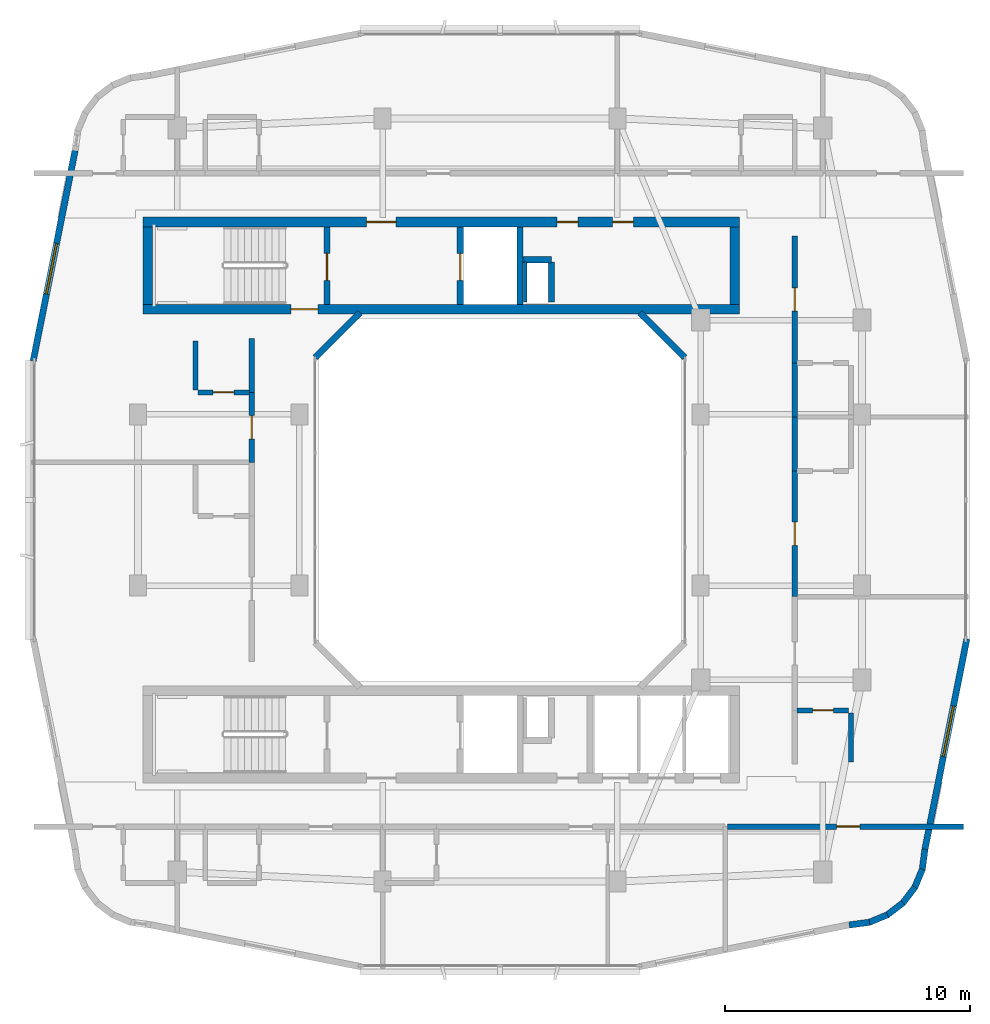
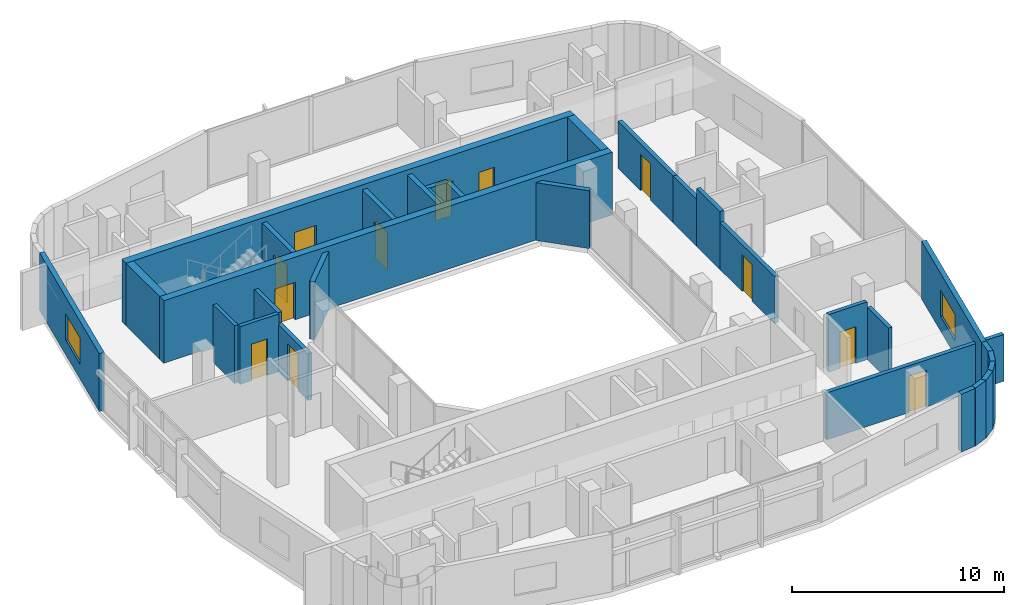
# One storey, part 8 of 14: 31 walls, 12 doors, 2 windows, 14 openings.
"""IFC4 building model written with IfcOpenShell, lengths in metres."""

from ifc_helpers import new_model, si_unit, derived_unit, direction, frame, frame_2d, origin, place, context, subcontext, project, spatial, rectangle, extrude, material, layer, layer_set, type_object, element, fill, save


model = new_model("IFC4")

# Units and contexts
model_context = context("Model", 3, precision=1e-05, world=origin(), true_north=direction((0.0, 1.0)))
body_context = subcontext(model_context, "Body", "Model", "MODEL_VIEW")
ifc_project = project(units=[si_unit("LENGTHUNIT", "METRE"), si_unit("AREAUNIT", "SQUARE_METRE"), si_unit("VOLUMEUNIT", "CUBIC_METRE"), si_unit("PLANEANGLEUNIT", "RADIAN"), si_unit("MASSUNIT", "GRAM", prefix="KILO"), derived_unit("THERMALTRANSMITTANCEUNIT", [(si_unit("POWERUNIT", "WATT"), 1), (si_unit("LENGTHUNIT", "METRE"), -2), (si_unit("THERMODYNAMICTEMPERATUREUNIT", "KELVIN"), -1)])], contexts=[model_context])

# Site, building, storey
site_placement = place(None, origin())
site = spatial("IfcSite", under=ifc_project, at=site_placement, CompositionType="ELEMENT")
building_placement = place(site_placement, origin())
building = spatial("IfcBuilding", under=site, at=building_placement, Name="Kivonza Crest Hotel", CompositionType="ELEMENT")
storey_placement = place(building_placement, frame((0.0, 0.0, 202.699951171875)))
storey = spatial("IfcBuildingStorey", under=building, at=storey_placement, Name="L55", CompositionType="ELEMENT", Elevation=202.699951171875)

# Wall, opening, door
ifc_material_1 = material(Name="Autoclaved aerated concrete blockwork", Category="masonry")
ifc_layer_1 = layer(ifc_material_1, 0.219970703125)
ifc_layer_set_1 = layer_set([ifc_layer_1], Name="Autoclaved aerated concrete blockwork")
wall_type_1 = type_object("IfcWallType", Name="WL-ACOU-220", PredefinedType="SOLIDWALL", material=ifc_layer_set_1)
wall_1_placement = place(storey_placement, frame((30.300048828125, 11.64990234375, 0.0), z_axis=(0.0, 0.0, 1.0), x_axis=(1.0, 0.0, 0.0)))
wall_1 = element("IfcWall", 1, at=wall_1_placement, inside=storey, type_object=wall_type_1, Name="L55 interior partition WA-L55-BUS-MTG-N", PredefinedType="SOLIDWALL", context=body_context, shape_type="SweptSolid", body=[
    extrude(rectangle(XDim=9.639892578125, YDim=0.219970703125, at=frame_2d((4.81982421875, 0.0))), origin(), (0.0, 0.0, 1.0), 2.695068359375),
])
opening_1_placement = place(wall_1_placement, frame((4.4609375, 0.0, 0.0)))
opening_1 = element("IfcOpeningElement", 2, at=opening_1_placement, cuts=wall_1, Name="Opening DF-60S", PredefinedType="OPENING", context=body_context, shape_type="SweptSolid", body=[
    extrude(rectangle(XDim=0.949951171875, YDim=2.10009765625, at=frame_2d((0.47509765625, 1.050048828125))), frame((0.0, 0.1201171875, 0.0), z_axis=(0.0, -1.0, 0.0), x_axis=(1.0, 0.0, 0.0)), (0.0, 0.0, 1.0), 0.239990234375),
])
ifc_material_2 = material(Name="Hardwood timber oak", Category="wood")
door_type_1 = type_object("IfcDoorType", Name="DR-FD60-950", OperationType="NOTDEFINED", PredefinedType="DOOR", material=ifc_material_2)
door_1_placement = place(opening_1_placement, frame((0.949951171875, 0.0, 0.0), z_axis=(0.0, 0.0, 1.0), x_axis=(-1.0, 0.0, 0.0)))
door_1 = element("IfcDoor", 3, at=door_1_placement, inside=storey, type_object=door_type_1, Name="L55 Residents Reading Room door", OperationType="SINGLE_SWING_RIGHT", OverallHeight=2.10009765625, OverallWidth=0.949951171875, PredefinedType="DOOR", context=body_context, shape_type="SweptSolid", body=[
    extrude(rectangle(XDim=0.949951171875, YDim=2.10009765625, at=frame_2d((0.47509765625, 1.050048828125))), frame((0.0, 0.02490234375, 0.0), z_axis=(0.0, -1.0, 0.0), x_axis=(1.0, 0.0, 0.0)), (0.0, 0.0, 1.0), 0.050048828125),
])
fill(opening_1, door_1)

# Wall
wall_2_placement = place(storey_placement, frame((10.85009765625, 29.39990234375, 0.0), z_axis=(0.0, 0.0, 1.0), x_axis=(0.0, 1.0, 0.0)))
element("IfcWall", 4, at=wall_2_placement, inside=storey, type_object=wall_type_1, Name="L55 interior partition WA-L55-W08-BCORR", PredefinedType="SOLIDWALL", context=body_context, shape_type="SweptSolid", body=[
    extrude(rectangle(XDim=2.2001953125, YDim=0.219970703125, at=frame_2d((1.10009765625, 0.0))), origin(), (0.0, 0.0, 1.0), 3.320068359375),
])

# Wall, opening, door
wall_3_placement = place(storey_placement, frame((10.85009765625, 26.5400390625, 0.0), z_axis=(0.0, 0.0, 1.0), x_axis=(0.0, 1.0, 0.0)))
wall_3 = element("IfcWall", 5, at=wall_3_placement, inside=storey, type_object=wall_type_1, Name="L55 interior partition WA-L55-W08-MCORR", PredefinedType="SOLIDWALL", context=body_context, shape_type="SweptSolid", body=[
    extrude(rectangle(XDim=2.85986328125, YDim=0.219970703125, at=frame_2d((1.429931640625, 0.0))), origin(), (0.0, 0.0, 1.0), 2.695068359375),
])
opening_2_placement = place(wall_3_placement, frame((0.955078125, 0.0, 0.0)))
opening_2 = element("IfcOpeningElement", 6, at=opening_2_placement, cuts=wall_3, Name="Opening DU-60", PredefinedType="OPENING", context=body_context, shape_type="SweptSolid", body=[
    extrude(rectangle(XDim=0.949951171875, YDim=2.10009765625, at=frame_2d((0.47509765625, 1.050048828125))), frame((0.0, 0.1201171875, 0.0), z_axis=(0.0, -1.0, 0.0), x_axis=(1.0, 0.0, 0.0)), (0.0, 0.0, 1.0), 0.239990234375),
])
door_type_2 = type_object("IfcDoorType", Name="DR-UNIT-950", OperationType="NOTDEFINED", PredefinedType="DOOR", material=ifc_material_2)
door_2_placement = place(opening_2_placement, origin())
door_2 = element("IfcDoor", 7, at=door_2_placement, inside=storey, type_object=door_type_2, Name="L55 W08 guest unit entrance fire door", OperationType="SINGLE_SWING_RIGHT", OverallHeight=2.10009765625, OverallWidth=0.949951171875, PredefinedType="DOOR", context=body_context, shape_type="SweptSolid", body=[
    extrude(rectangle(XDim=0.949951171875, YDim=2.10009765625, at=frame_2d((0.47509765625, 1.050048828125))), frame((0.0, 0.02490234375, 0.0), z_axis=(0.0, -1.0, 0.0), x_axis=(1.0, 0.0, 0.0)), (0.0, 0.0, 1.0), 0.050048828125),
])
fill(opening_2, door_2)

# Wall
wall_4_placement = place(storey_placement, frame((33.050048828125, 26.193115234375, 0.0), z_axis=(0.0, 0.0, 1.0), x_axis=(0.0, 1.0, 0.0)))
element("IfcWall", 8, at=wall_4_placement, inside=storey, type_object=wall_type_1, Name="L55 interior partition WA-L55-E10-BCORR", PredefinedType="SOLIDWALL", context=body_context, shape_type="SweptSolid", body=[
    extrude(rectangle(XDim=2.199951171875, YDim=0.219970703125, at=frame_2d((1.10009765625, 0.0))), origin(), (0.0, 0.0, 1.0), 3.320068359375),
])

# Wall, opening, door
wall_5_placement = place(storey_placement, frame((33.050048828125, 21.049072265625, 0.0), z_axis=(0.0, 0.0, 1.0), x_axis=(0.0, 1.0, 0.0)))
wall_5 = element("IfcWall", 9, at=wall_5_placement, inside=storey, type_object=wall_type_1, Name="L55 interior partition WA-L55-E10-MCORR", PredefinedType="SOLIDWALL", context=body_context, shape_type="SweptSolid", body=[
    extrude(rectangle(XDim=5.14404296875, YDim=0.219970703125, at=frame_2d((2.572021484375, 0.0))), origin(), (0.0, 0.0, 1.0), 2.695068359375),
])
opening_3_placement = place(wall_5_placement, frame((2.096923828125, 0.0, 0.0)))
opening_3 = element("IfcOpeningElement", 10, at=opening_3_placement, cuts=wall_5, Name="Opening DU-60", PredefinedType="OPENING", context=body_context, shape_type="SweptSolid", body=[
    extrude(rectangle(XDim=0.949951171875, YDim=2.10009765625, at=frame_2d((0.47509765625, 1.050048828125))), frame((0.0, 0.1201171875, 0.0), z_axis=(0.0, -1.0, 0.0), x_axis=(1.0, 0.0, 0.0)), (0.0, 0.0, 1.0), 0.239990234375),
])
door_3_placement = place(opening_3_placement, frame((0.949951171875, 0.0, 0.0), z_axis=(0.0, 0.0, 1.0), x_axis=(-1.0, 0.0, 0.0)))
door_3 = element("IfcDoor", 11, at=door_3_placement, inside=storey, type_object=door_type_2, Name="L55 E10 guest unit entrance fire door", OperationType="SINGLE_SWING_RIGHT", OverallHeight=2.10009765625, OverallWidth=0.949951171875, PredefinedType="DOOR", context=body_context, shape_type="SweptSolid", body=[
    extrude(rectangle(XDim=0.949951171875, YDim=2.10009765625, at=frame_2d((0.47509765625, 1.050048828125))), frame((0.0, 0.02490234375, 0.0), z_axis=(0.0, -1.0, 0.0), x_axis=(1.0, 0.0, 0.0)), (0.0, 0.0, 1.0), 0.050048828125),
])
fill(opening_3, door_3)

# Wall
wall_6_placement = place(storey_placement, frame((33.050048828125, 28.39306640625, 0.0), z_axis=(0.0, 0.0, 1.0), x_axis=(0.0, 1.0, 0.0)))
element("IfcWall", 12, at=wall_6_placement, inside=storey, type_object=wall_type_1, Name="L55 interior partition WA-L55-E11-BCORR", PredefinedType="SOLIDWALL", context=body_context, shape_type="SweptSolid", body=[
    extrude(rectangle(XDim=2.199951171875, YDim=0.219970703125, at=frame_2d((1.10009765625, 0.0))), origin(), (0.0, 0.0, 1.0), 2.695068359375),
])

# Wall, opening, door
wall_7_placement = place(storey_placement, frame((33.050048828125, 30.593017578125, 0.0), z_axis=(0.0, 0.0, 1.0), x_axis=(0.0, 1.0, 0.0)))
wall_7 = element("IfcWall", 13, at=wall_7_placement, inside=storey, type_object=wall_type_1, Name="L55 interior partition WA-L55-E11-MCORR", PredefinedType="SOLIDWALL", context=body_context, shape_type="SweptSolid", body=[
    extrude(rectangle(XDim=5.20703125, YDim=0.219970703125, at=frame_2d((2.603515625, 0.0))), origin(), (0.0, 0.0, 1.0), 2.695068359375),
])
opening_4_placement = place(wall_7_placement, frame((2.1279296875, 0.0, 0.0)))
opening_4 = element("IfcOpeningElement", 14, at=opening_4_placement, cuts=wall_7, Name="Opening DU-60", PredefinedType="OPENING", context=body_context, shape_type="SweptSolid", body=[
    extrude(rectangle(XDim=0.949951171875, YDim=2.10009765625, at=frame_2d((0.47509765625, 1.050048828125))), frame((0.0, 0.1201171875, 0.0), z_axis=(0.0, -1.0, 0.0), x_axis=(1.0, 0.0, 0.0)), (0.0, 0.0, 1.0), 0.239990234375),
])
door_4_placement = place(opening_4_placement, frame((0.949951171875, 0.0, 0.0), z_axis=(0.0, 0.0, 1.0), x_axis=(-1.0, 0.0, 0.0)))
door_4 = element("IfcDoor", 15, at=door_4_placement, inside=storey, type_object=door_type_2, Name="L55 E11 guest unit entrance fire door", OperationType="SINGLE_SWING_LEFT", OverallHeight=2.10009765625, OverallWidth=0.949951171875, PredefinedType="DOOR", context=body_context, shape_type="SweptSolid", body=[
    extrude(rectangle(XDim=0.949951171875, YDim=2.10009765625, at=frame_2d((0.47509765625, 1.050048828125))), frame((0.0, 0.02490234375, 0.0), z_axis=(0.0, -1.0, 0.0), x_axis=(1.0, 0.0, 0.0)), (0.0, 0.0, 1.0), 0.050048828125),
])
fill(opening_4, door_4)

ifc_material_3 = material(Name="Concrete C50/60", Category="concrete")
ifc_layer_2 = layer(ifc_material_3, 0.39990234375)
ifc_layer_set_2 = layer_set([ifc_layer_2], Name="Concrete C50/60")
wall_type_2 = type_object("IfcWallType", Name="WL-CORE-400", PredefinedType="SHEAR", material=ifc_layer_set_2)
wall_8_placement = place(storey_placement, frame((6.39990234375, 32.800048828125, 0.0), z_axis=(0.0, 0.0, 1.0), x_axis=(1.0, 0.0, 0.0)))
wall_8 = element("IfcWall", 16, at=wall_8_placement, inside=storey, type_object=wall_type_2, Name="Core wall T1-N South L55", PredefinedType="SHEAR", context=body_context, shape_type="SweptSolid", body=[
    extrude(rectangle(XDim=24.400146484375, YDim=0.39990234375, at=frame_2d((12.2001953125, 0.0))), origin(), (0.0, 0.0, 1.0), 3.60009765625),
])
opening_5_placement = place(wall_8_placement, frame((6.050048828125, 0.0, 0.0)))
opening_5 = element("IfcOpeningElement", 17, at=opening_5_placement, cuts=wall_8, Name="Opening DF-120", PredefinedType="OPENING", context=body_context, shape_type="SweptSolid", body=[
    extrude(rectangle(XDim=1.10009765625, YDim=2.14990234375, at=frame_2d((0.550048828125, 1.074951171875))), frame((0.0, 0.2099609375, 0.0), z_axis=(0.0, -1.0, 0.0), x_axis=(1.0, 0.0, 0.0)), (0.0, 0.0, 1.0), 0.419921875),
])
ifc_material_4 = material(Name="Galvanised steel", Category="steel")
door_type_3 = type_object("IfcDoorType", Name="DR-FD120-1100", OperationType="NOTDEFINED", PredefinedType="DOOR", material=ifc_material_4)
door_5_placement = place(opening_5_placement, origin())
door_5 = element("IfcDoor", 18, at=door_5_placement, inside=storey, type_object=door_type_3, Name="L55 West corridor stair access fire door", OperationType="SINGLE_SWING_LEFT", OverallHeight=2.14990234375, OverallWidth=1.10009765625, PredefinedType="DOOR", context=body_context, shape_type="SweptSolid", body=[
    extrude(rectangle(XDim=1.10009765625, YDim=2.14990234375, at=frame_2d((0.550048828125, 1.074951171875))), frame((0.0, 0.02490234375, 0.0), z_axis=(0.0, -1.0, 0.0), x_axis=(1.0, 0.0, 0.0)), (0.0, 0.0, 1.0), 0.050048828125),
])
fill(opening_5, door_5)

# Wall, openings, doors
wall_9_placement = place(storey_placement, frame((6.39990234375, 36.360107421875, 0.0), z_axis=(0.0, 0.0, 1.0), x_axis=(1.0, 0.0, 0.0)))
wall_9 = element("IfcWall", 19, at=wall_9_placement, inside=storey, type_object=wall_type_2, Name="Core wall T1-N North L55", PredefinedType="SHEAR", context=body_context, shape_type="SweptSolid", body=[
    extrude(rectangle(XDim=24.400146484375, YDim=0.39990234375, at=frame_2d((12.2001953125, 0.0))), origin(), (0.0, 0.0, 1.0), 3.60009765625),
])
opening_6_placement = place(wall_9_placement, frame((9.14990234375, 0.0, 0.0)))
opening_6 = element("IfcOpeningElement", 20, at=opening_6_placement, cuts=wall_9, Name="Opening DF-60", PredefinedType="OPENING", context=body_context, shape_type="SweptSolid", body=[
    extrude(rectangle(XDim=1.199951171875, YDim=2.14990234375, at=frame_2d((0.60009765625, 1.074951171875))), frame((0.0, 0.2099609375, 0.0), z_axis=(0.0, -1.0, 0.0), x_axis=(1.0, 0.0, 0.0)), (0.0, 0.0, 1.0), 0.419921875),
])
opening_7_placement = place(wall_9_placement, frame((19.199951171875, 0.0, 0.0)))
opening_7 = element("IfcOpeningElement", 21, at=opening_7_placement, cuts=wall_9, Name="Opening DF-60R", PredefinedType="OPENING", context=body_context, shape_type="SweptSolid", body=[
    extrude(rectangle(XDim=0.85009765625, YDim=2.10009765625, at=frame_2d((0.425048828125, 1.050048828125))), frame((0.0, 0.2099609375, 0.0), z_axis=(0.0, -1.0, 0.0), x_axis=(1.0, 0.0, 0.0)), (0.0, 0.0, 1.0), 0.419921875),
])
opening_8_placement = place(wall_9_placement, frame((16.93994140625, 0.0, 0.0)))
opening_8 = element("IfcOpeningElement", 22, at=opening_8_placement, cuts=wall_9, Name="Opening DF-60R", PredefinedType="OPENING", context=body_context, shape_type="SweptSolid", body=[
    extrude(rectangle(XDim=0.85009765625, YDim=2.10009765625, at=frame_2d((0.425048828125, 1.050048828125))), frame((0.0, 0.2099609375, 0.0), z_axis=(0.0, -1.0, 0.0), x_axis=(1.0, 0.0, 0.0)), (0.0, 0.0, 1.0), 0.419921875),
])
door_type_4 = type_object("IfcDoorType", Name="DR-FD60-1200", OperationType="NOTDEFINED", PredefinedType="DOOR", material=ifc_material_2)
door_6_placement = place(opening_6_placement, origin())
door_6 = element("IfcDoor", 23, at=door_6_placement, inside=storey, type_object=door_type_4, Name="L55 T1-N firefighting lobby fire door", OperationType="SINGLE_SWING_RIGHT", OverallHeight=2.14990234375, OverallWidth=1.199951171875, PredefinedType="DOOR", context=body_context, shape_type="SweptSolid", body=[
    extrude(rectangle(XDim=1.199951171875, YDim=2.14990234375, at=frame_2d((0.60009765625, 1.074951171875))), frame((0.0, 0.02490234375, 0.0), z_axis=(0.0, -1.0, 0.0), x_axis=(1.0, 0.0, 0.0)), (0.0, 0.0, 1.0), 0.050048828125),
])
fill(opening_6, door_6)
door_type_5 = type_object("IfcDoorType", Name="DR-FD60-850", OperationType="NOTDEFINED", PredefinedType="DOOR", material=ifc_material_2)
door_7_placement = place(opening_7_placement, origin())
door_7 = element("IfcDoor", 24, at=door_7_placement, inside=storey, type_object=door_type_5, Name="L55 T1-N reclaimed core service door", OperationType="SINGLE_SWING_LEFT", OverallHeight=2.10009765625, OverallWidth=0.85009765625, PredefinedType="DOOR", context=body_context, shape_type="SweptSolid", body=[
    extrude(rectangle(XDim=0.85009765625, YDim=2.10009765625, at=frame_2d((0.425048828125, 1.050048828125))), frame((0.0, 0.02490234375, 0.0), z_axis=(0.0, -1.0, 0.0), x_axis=(1.0, 0.0, 0.0)), (0.0, 0.0, 1.0), 0.050048828125),
])
fill(opening_7, door_7)
door_8_placement = place(opening_8_placement, origin())
door_8 = element("IfcDoor", 25, at=door_8_placement, inside=storey, type_object=door_type_5, Name="L55 T1-N core room door", OperationType="SINGLE_SWING_RIGHT", OverallHeight=2.10009765625, OverallWidth=0.85009765625, PredefinedType="DOOR", context=body_context, shape_type="SweptSolid", body=[
    extrude(rectangle(XDim=0.85009765625, YDim=2.10009765625, at=frame_2d((0.425048828125, 1.050048828125))), frame((0.0, 0.02490234375, 0.0), z_axis=(0.0, -1.0, 0.0), x_axis=(1.0, 0.0, 0.0)), (0.0, 0.0, 1.0), 0.050048828125),
])
fill(opening_8, door_8)

# Walls
for number, where, z_axis, x_axis, name in (
    (26, (6.60009765625, 33.0, 0.0), (0.0, 0.0, 1.0), (0.0, 1.0, 0.0), "Core wall T1-N West L55"),
    (27, (30.60009765625, 33.0, 0.0), (0.0, 0.0, 1.0), (0.0, 1.0, 0.0), "Core wall T1-N East L55"),
):
    element("IfcWall", number, at=place(storey_placement, frame(where, z_axis=z_axis, x_axis=x_axis)), inside=storey, type_object=wall_type_2, Name=name, PredefinedType="SHEAR", context=body_context, shape_type="SweptSolid", body=[
        extrude(rectangle(XDim=3.159912109375, YDim=0.39990234375, at=frame_2d((1.580078125, 0.0))), origin(), (0.0, 0.0, 1.0), 3.60009765625),
    ])
ifc_material_5 = material(Name="Precast concrete C40/50", Category="concrete")
ifc_layer_3 = layer(ifc_material_5, 0.260009765625)
ifc_layer_set_3 = layer_set([ifc_layer_3], Name="Precast concrete C40/50")
wall_type_3 = type_object("IfcWallType", Name="WL-EXT-260", PredefinedType="STANDARD", material=ifc_layer_set_3)
wall_10_placement = place(storey_placement, frame((35.27490234375, 7.6279296875, 0.0), z_axis=(0.0, 0.0, 1.0), x_axis=(0.9913883573, 0.130954667764, 0.0)))
element("IfcWall", 28, at=wall_10_placement, inside=storey, type_object=wall_type_3, Name="L55 T1 exterior insulated wall 10", PredefinedType="STANDARD", context=body_context, shape_type="SweptSolid", body=[
    extrude(rectangle(XDim=0.833251953125, YDim=0.260009765625, at=frame_2d((0.41650390625, 0.0))), origin(), (0.0, 0.0, 1.0), 3.320068359375),
])
wall_11_placement = place(storey_placement, frame((36.054931640625, 7.718994140625, 0.0), z_axis=(0.0, 0.0, 1.0), x_axis=(0.923754491172, 0.382985169477, 0.0)))
element("IfcWall", 29, at=wall_11_placement, inside=storey, type_object=wall_type_3, Name="L55 T1 exterior insulated wall 11", PredefinedType="STANDARD", context=body_context, shape_type="SweptSolid", body=[
    extrude(rectangle(XDim=0.85107421875, YDim=0.260009765625, at=frame_2d((0.425537109375, 0.0))), origin(), (0.0, 0.0, 1.0), 3.320068359375),
])
for number, where, z_axis, x_axis, name in (
    (30, (36.801025390625, 8.01708984375, 0.0), (0.0, 0.0, 1.0), (0.793999057278, 0.607918988881, 0.0), "L55 T1 exterior insulated wall 12"),
    (31, (37.445068359375, 8.49609375, 0.0), (0.0, 0.0, 1.0), (0.608057619941, 0.793892896323, 0.0), "L55 T1 exterior insulated wall 13"),
):
    element("IfcWall", number, at=place(storey_placement, frame(where, z_axis=z_axis, x_axis=x_axis)), inside=storey, type_object=wall_type_3, Name=name, PredefinedType="STANDARD", context=body_context, shape_type="SweptSolid", body=[
        extrude(rectangle(XDim=0.85009765625, YDim=0.260009765625, at=frame_2d((0.425048828125, 0.0))), origin(), (0.0, 0.0, 1.0), 3.320068359375),
    ])
wall_12_placement = place(storey_placement, frame((37.94091796875, 9.126953125, 0.0), z_axis=(0.0, 0.0, 1.0), x_axis=(0.383229930484, 0.923652976167, 0.0)))
element("IfcWall", 32, at=wall_12_placement, inside=storey, type_object=wall_type_3, Name="L55 T1 exterior insulated wall 14", PredefinedType="STANDARD", context=body_context, shape_type="SweptSolid", body=[
    extrude(rectangle(XDim=0.85107421875, YDim=0.260009765625, at=frame_2d((0.425537109375, 0.0))), origin(), (0.0, 0.0, 1.0), 3.320068359375),
])
wall_13_placement = place(storey_placement, frame((38.259033203125, 9.864013671875, 0.0), z_axis=(0.0, 0.0, 1.0), x_axis=(0.130156359936, 0.991493480548, 0.0)))
element("IfcWall", 33, at=wall_13_placement, inside=storey, type_object=wall_type_3, Name="L55 T1 exterior insulated wall 15", PredefinedType="STANDARD", context=body_context, shape_type="SweptSolid", body=[
    extrude(rectangle(XDim=0.868408203125, YDim=0.260009765625, at=frame_2d((0.43408203125, 0.0))), origin(), (0.0, 0.0, 1.0), 3.320068359375),
])

# Wall, opening, window
wall_14_placement = place(storey_placement, frame((38.37109375, 10.717041015625, 0.0), z_axis=(0.0, 0.0, 1.0), x_axis=(0.195291715883, 0.980745199176, 0.0)))
wall_14 = element("IfcWall", 34, at=wall_14_placement, inside=storey, type_object=wall_type_3, Name="L55 T1 exterior insulated wall 16", PredefinedType="STANDARD", context=body_context, shape_type="SweptSolid", body=[
    extrude(rectangle(XDim=8.77099609375, YDim=0.260009765625, at=frame_2d((4.385498046875, 0.0))), origin(), (0.0, 0.0, 1.0), 3.320068359375),
])
opening_9_placement = place(wall_14_placement, frame((3.873046875, 0.0, 0.85009765625)))
opening_9 = element("IfcOpeningElement", 35, at=opening_9_placement, cuts=wall_14, Name="Opening WN-04", PredefinedType="OPENING", context=body_context, shape_type="SweptSolid", body=[
    extrude(rectangle(XDim=2.10009765625, YDim=1.5, at=frame_2d((1.050048828125, 0.75))), frame((0.0, 0.14013671875, 0.0), z_axis=(0.0, -1.0, 0.0), x_axis=(1.0, 0.0, 0.0)), (0.0, 0.0, 1.0), 0.280029296875),
])
ifc_material_6 = material(Name="Thermally broken bronze aluminium and low-E double glazing", Category="aluminium")
window_type = type_object("IfcWindowType", Name="WN-210x150", PartitioningType="DOUBLE_PANEL_VERTICAL", PredefinedType="WINDOW", material=ifc_material_6)
window_1_placement = place(opening_9_placement, origin())
window_1 = element("IfcWindow", 36, at=window_1_placement, inside=storey, type_object=window_type, Name="L55 T1 facade window 16", OverallHeight=1.5, OverallWidth=2.10009765625, PartitioningType="SINGLE_PANEL", PredefinedType="WINDOW", context=body_context, shape_type="SweptSolid", body=[
    extrude(rectangle(XDim=2.10009765625, YDim=1.5, at=frame_2d((1.050048828125, 0.75))), frame((0.0, 0.030029296875, 0.0), z_axis=(0.0, -1.0, 0.0), x_axis=(1.0, 0.0, 0.0)), (0.0, 0.0, 1.0), 0.06005859375),
])
fill(opening_9, window_1)

wall_15_placement = place(storey_placement, frame((3.62890625, 39.282958984375, 0.0), z_axis=(0.0, 0.0, 1.0), x_axis=(-0.195291715883, -0.980745199176, 0.0)))
wall_15 = element("IfcWall", 37, at=wall_15_placement, inside=storey, type_object=wall_type_3, Name="L55 T1 exterior insulated wall 34", PredefinedType="STANDARD", context=body_context, shape_type="SweptSolid", body=[
    extrude(rectangle(XDim=8.77099609375, YDim=0.260009765625, at=frame_2d((4.385498046875, 0.0))), origin(), (0.0, 0.0, 1.0), 3.320068359375),
])
opening_10_placement = place(wall_15_placement, frame((3.873046875, 0.0, 0.85009765625)))
opening_10 = element("IfcOpeningElement", 38, at=opening_10_placement, cuts=wall_15, Name="Opening WN-04", PredefinedType="OPENING", context=body_context, shape_type="SweptSolid", body=[
    extrude(rectangle(XDim=2.10009765625, YDim=1.5, at=frame_2d((1.050048828125, 0.75))), frame((0.0, 0.14013671875, 0.0), z_axis=(0.0, -1.0, 0.0), x_axis=(1.0, 0.0, 0.0)), (0.0, 0.0, 1.0), 0.280029296875),
])
window_2_placement = place(opening_10_placement, origin())
window_2 = element("IfcWindow", 39, at=window_2_placement, inside=storey, type_object=window_type, Name="L55 T1 facade window 34", OverallHeight=1.5, OverallWidth=2.10009765625, PartitioningType="SINGLE_PANEL", PredefinedType="WINDOW", context=body_context, shape_type="SweptSolid", body=[
    extrude(rectangle(XDim=2.10009765625, YDim=1.5, at=frame_2d((1.050048828125, 0.75))), frame((0.0, 0.030029296875, 0.0), z_axis=(0.0, -1.0, 0.0), x_axis=(1.0, 0.0, 0.0)), (0.0, 0.0, 1.0), 0.06005859375),
])
fill(opening_10, window_2)

# Walls
for number, where, z_axis, x_axis, name in (
    (40, (28.555908203125, 30.827880859375, 0.0), (0.0, 0.0, 1.0), (-0.707059717605, 0.707153841636, 0.0), "L55 T1 light-well exterior wall 4"),
    (41, (15.278076171875, 32.662109375, 0.0), (0.0, 0.0, 1.0), (-0.707059717605, -0.707153841636, 0.0), "L55 T1 light-well exterior wall 6"),
):
    element("IfcWall", number, at=place(storey_placement, frame(where, z_axis=z_axis, x_axis=x_axis)), inside=storey, type_object=wall_type_3, Name=name, PredefinedType="STANDARD", context=body_context, shape_type="SweptSolid", body=[
        extrude(rectangle(XDim=2.59375, YDim=0.260009765625, at=frame_2d((1.296875, 0.0))), origin(), (0.0, 0.0, 1.0), 3.320068359375),
    ])
ifc_material_7 = material(Name="Concrete blockwork fire-compartment wall", Category="masonry")
ifc_layer_4 = layer(ifc_material_7, 0.25)
ifc_layer_set_4 = layer_set([ifc_layer_4], Name="Concrete blockwork fire-compartment wall")
wall_type_4 = type_object("IfcWallType", Name="WL-FIRE-250", PredefinedType="SOLIDWALL", material=ifc_layer_set_4)
wall_16_placement = place(storey_placement, frame((23.10009765625, 33.10009765625, 0.0), z_axis=(0.0, 0.0, 1.0), x_axis=(0.0, 1.0, 0.0)))
element("IfcWall", 42, at=wall_16_placement, inside=storey, type_object=wall_type_4, Name="L55 interior partition WA-L55-T1-N-MEPR-E", PredefinedType="SOLIDWALL", context=body_context, shape_type="SweptSolid", body=[
    extrude(rectangle(XDim=1.619873046875, YDim=0.25, at=frame_2d((0.81005859375, 0.0))), origin(), (0.0, 0.0, 1.0), 3.320068359375),
])
wall_17_placement = place(storey_placement, frame((21.949951171875, 34.820068359375, 0.0), z_axis=(0.0, 0.0, 1.0), x_axis=(1.0, 0.0, 0.0)))
element("IfcWall", 43, at=wall_17_placement, inside=storey, type_object=wall_type_4, Name="L55 interior partition WA-L55-T1-N-MEPR-H", PredefinedType="SOLIDWALL", context=body_context, shape_type="SweptSolid", body=[
    extrude(rectangle(XDim=1.150146484375, YDim=0.25, at=frame_2d((0.5751953125, 0.0))), origin(), (0.0, 0.0, 1.0), 3.320068359375),
])
ifc_material_8 = material(Name="Twin-stud acoustic gypsum board partition", Category="gypsum")
ifc_layer_5 = layer(ifc_material_8, 0.14990234375)
ifc_layer_set_5 = layer_set([ifc_layer_5], Name="Twin-stud acoustic gypsum board partition")
wall_type_5 = type_object("IfcWallType", Name="WL-PART-150", PredefinedType="PARTITIONING", material=ifc_layer_set_5)
wall_18_placement = place(storey_placement, frame((22.030029296875, 33.10009765625, 0.0), z_axis=(0.0, 0.0, 1.0), x_axis=(0.0, 1.0, 0.0)))
element("IfcWall", 44, at=wall_18_placement, inside=storey, type_object=wall_type_5, Name="L55 interior partition WA-L55-T1-N-MEPR-W", PredefinedType="PARTITIONING", context=body_context, shape_type="SweptSolid", body=[
    extrude(rectangle(XDim=1.619873046875, YDim=0.14990234375, at=frame_2d((0.81005859375, 0.0))), origin(), (0.0, 0.0, 1.0), 3.320068359375),
])

# Wall, opening, door
ifc_material_9 = material(Name="Moisture-resistant plumbing chase partition wall", Category="gypsum")
ifc_layer_6 = layer(ifc_material_9, 0.199951171875)
ifc_layer_set_6 = layer_set([ifc_layer_6], Name="Moisture-resistant plumbing chase partition wall")
wall_type_6 = type_object("IfcWallType", Name="WL-PLUMB-200", PredefinedType="PLUMBINGWALL", material=ifc_layer_set_6)
wall_19_placement = place(storey_placement, frame((8.64990234375, 29.39990234375, 0.0), z_axis=(0.0, 0.0, 1.0), x_axis=(1.0, 0.0, 0.0)))
wall_19 = element("IfcWall", 45, at=wall_19_placement, inside=storey, type_object=wall_type_6, Name="L55 interior partition WW-L55-W08-BH", PredefinedType="PLUMBINGWALL", context=body_context, shape_type="SweptSolid", body=[
    extrude(rectangle(XDim=2.10009765625, YDim=0.199951171875, at=frame_2d((1.050048828125, 0.0))), origin(), (0.0, 0.0, 1.0), 3.320068359375),
])
opening_11_placement = place(wall_19_placement, frame((0.625, 0.0, 0.0)))
opening_11 = element("IfcOpeningElement", 46, at=opening_11_placement, cuts=wall_19, Name="Opening DI-85", PredefinedType="OPENING", context=body_context, shape_type="SweptSolid", body=[
    extrude(rectangle(XDim=0.85009765625, YDim=2.10009765625, at=frame_2d((0.425048828125, 1.050048828125))), frame((0.0, 0.10986328125, 0.0), z_axis=(0.0, -1.0, 0.0), x_axis=(1.0, 0.0, 0.0)), (0.0, 0.0, 1.0), 0.219970703125),
])
door_type_6 = type_object("IfcDoorType", Name="DR-INT-850", OperationType="NOTDEFINED", PredefinedType="DOOR", material=ifc_material_2)
door_9_placement = place(opening_11_placement, frame((0.85009765625, 0.0, 0.0), z_axis=(0.0, 0.0, 1.0), x_axis=(-1.0, 0.0, 0.0)))
door_9 = element("IfcDoor", 47, at=door_9_placement, inside=storey, type_object=door_type_6, Name="L55 W08 en-suite bathroom door", OperationType="SINGLE_SWING_LEFT", OverallHeight=2.10009765625, OverallWidth=0.85009765625, PredefinedType="DOOR", context=body_context, shape_type="SweptSolid", body=[
    extrude(rectangle(XDim=0.85009765625, YDim=2.10009765625, at=frame_2d((0.425048828125, 1.050048828125))), frame((0.0, 0.02490234375, 0.0), z_axis=(0.0, -1.0, 0.0), x_axis=(1.0, 0.0, 0.0)), (0.0, 0.0, 1.0), 0.050048828125),
])
fill(opening_11, door_9)

# Wall
wall_20_placement = place(storey_placement, frame((8.550048828125, 29.5, 0.0), z_axis=(0.0, 0.0, 1.0), x_axis=(0.0, 1.0, 0.0)))
element("IfcWall", 48, at=wall_20_placement, inside=storey, type_object=wall_type_6, Name="L55 interior partition WW-L55-W08-BV", PredefinedType="PLUMBINGWALL", context=body_context, shape_type="SweptSolid", body=[
    extrude(rectangle(XDim=2.0, YDim=0.199951171875, at=frame_2d((1.0, 0.0))), origin(), (0.0, 0.0, 1.0), 3.320068359375),
])

# Wall, opening, door
wall_21_placement = place(storey_placement, frame((33.14990234375, 16.39990234375, 0.0), z_axis=(0.0, 0.0, 1.0), x_axis=(1.0, 0.0, 0.0)))
wall_21 = element("IfcWall", 49, at=wall_21_placement, inside=storey, type_object=wall_type_6, Name="L55 interior partition WW-L55-E09-BH", PredefinedType="PLUMBINGWALL", context=body_context, shape_type="SweptSolid", body=[
    extrude(rectangle(XDim=2.10009765625, YDim=0.199951171875, at=frame_2d((1.050048828125, 0.0))), origin(), (0.0, 0.0, 1.0), 3.320068359375),
])
opening_12_placement = place(wall_21_placement, frame((0.625, 0.0, 0.0)))
opening_12 = element("IfcOpeningElement", 50, at=opening_12_placement, cuts=wall_21, Name="Opening DI-85", PredefinedType="OPENING", context=body_context, shape_type="SweptSolid", body=[
    extrude(rectangle(XDim=0.85009765625, YDim=2.10009765625, at=frame_2d((0.425048828125, 1.050048828125))), frame((0.0, 0.10986328125, 0.0), z_axis=(0.0, -1.0, 0.0), x_axis=(1.0, 0.0, 0.0)), (0.0, 0.0, 1.0), 0.219970703125),
])
door_10_placement = place(opening_12_placement, origin())
door_10 = element("IfcDoor", 51, at=door_10_placement, inside=storey, type_object=door_type_6, Name="L55 E09 en-suite bathroom door", OperationType="SINGLE_SWING_RIGHT", OverallHeight=2.10009765625, OverallWidth=0.85009765625, PredefinedType="DOOR", context=body_context, shape_type="SweptSolid", body=[
    extrude(rectangle(XDim=0.85009765625, YDim=2.10009765625, at=frame_2d((0.425048828125, 1.050048828125))), frame((0.0, 0.02490234375, 0.0), z_axis=(0.0, -1.0, 0.0), x_axis=(1.0, 0.0, 0.0)), (0.0, 0.0, 1.0), 0.050048828125),
])
fill(opening_12, door_10)

# Wall
wall_22_placement = place(storey_placement, frame((35.35009765625, 14.300048828125, 0.0), z_axis=(0.0, 0.0, 1.0), x_axis=(0.0, 1.0, 0.0)))
element("IfcWall", 52, at=wall_22_placement, inside=storey, type_object=wall_type_6, Name="L55 interior partition WW-L55-E09-BV", PredefinedType="PLUMBINGWALL", context=body_context, shape_type="SweptSolid", body=[
    extrude(rectangle(XDim=2.0, YDim=0.199951171875, at=frame_2d((1.0, 0.0))), origin(), (0.0, 0.0, 1.0), 3.01513671875),
])

# Wall, opening, door
ifc_layer_7 = layer(ifc_material_3, 0.25)
ifc_layer_set_7 = layer_set([ifc_layer_7], Name="Concrete C50/60")
wall_type_7 = type_object("IfcWallType", Name="WL-SHAFT-250", PredefinedType="STANDARD", material=ifc_layer_set_7)
wall_23_placement = place(storey_placement, frame((13.925048828125, 33.0, 0.0), z_axis=(0.0, 0.0, 1.0), x_axis=(0.0, 1.0, 0.0)))
wall_23 = element("IfcWall", 53, at=wall_23_placement, inside=storey, type_object=wall_type_7, Name="Core shaft wall T1-N STAIR L55", PredefinedType="STANDARD", context=body_context, shape_type="SweptSolid", body=[
    extrude(rectangle(XDim=3.159912109375, YDim=0.25, at=frame_2d((1.580078125, 0.0))), origin(), (0.0, 0.0, 1.0), 3.320068359375),
])
opening_13_placement = place(wall_23_placement, frame((0.97998046875, 0.0, 0.0)))
opening_13 = element("IfcOpeningElement", 54, at=opening_13_placement, cuts=wall_23, Name="Opening DF-120", PredefinedType="OPENING", context=body_context, shape_type="SweptSolid", body=[
    extrude(rectangle(XDim=1.10009765625, YDim=2.14990234375, at=frame_2d((0.550048828125, 1.074951171875))), frame((0.0, 0.135009765625, 0.0), z_axis=(0.0, -1.0, 0.0), x_axis=(1.0, 0.0, 0.0)), (0.0, 0.0, 1.0), 0.27001953125),
])
door_11_placement = place(opening_13_placement, frame((1.10009765625, 0.0, 0.0), z_axis=(0.0, 0.0, 1.0), x_axis=(-1.0, 0.0, 0.0)))
door_11 = element("IfcDoor", 55, at=door_11_placement, inside=storey, type_object=door_type_3, Name="L55 T1-N stair fire door", OperationType="SINGLE_SWING_LEFT", OverallHeight=2.14990234375, OverallWidth=1.10009765625, PredefinedType="DOOR", context=body_context, shape_type="SweptSolid", body=[
    extrude(rectangle(XDim=1.10009765625, YDim=2.14990234375, at=frame_2d((0.550048828125, 1.074951171875))), frame((0.0, 0.02490234375, 0.0), z_axis=(0.0, -1.0, 0.0), x_axis=(1.0, 0.0, 0.0)), (0.0, 0.0, 1.0), 0.050048828125),
])
fill(opening_13, door_11)

wall_24_placement = place(storey_placement, frame((19.375, 33.0, 0.0), z_axis=(0.0, 0.0, 1.0), x_axis=(0.0, 1.0, 0.0)))
wall_24 = element("IfcWall", 56, at=wall_24_placement, inside=storey, type_object=wall_type_7, Name="Core shaft wall T1-N FFL-W L55", PredefinedType="STANDARD", context=body_context, shape_type="SweptSolid", body=[
    extrude(rectangle(XDim=3.159912109375, YDim=0.25, at=frame_2d((1.580078125, 0.0))), origin(), (0.0, 0.0, 1.0), 3.320068359375),
])
opening_14_placement = place(wall_24_placement, frame((0.97998046875, 0.0, 0.0)))
opening_14 = element("IfcOpeningElement", 57, at=opening_14_placement, cuts=wall_24, Name="Opening LD-120", PredefinedType="OPENING", context=body_context, shape_type="SweptSolid", body=[
    extrude(rectangle(XDim=1.10009765625, YDim=2.14990234375, at=frame_2d((0.550048828125, 1.074951171875))), frame((0.0, 0.135009765625, 0.0), z_axis=(0.0, -1.0, 0.0), x_axis=(1.0, 0.0, 0.0)), (0.0, 0.0, 1.0), 0.27001953125),
])
ifc_material_10 = material(Name="Stainless steel", Category="steel")
door_type_7 = type_object("IfcDoorType", Name="DR-LD120-1100", OperationType="NOTDEFINED", PredefinedType="DOOR", material=ifc_material_10)
door_12_placement = place(opening_14_placement, origin())
door_12 = element("IfcDoor", 58, at=door_12_placement, inside=storey, type_object=door_type_7, Name="L55 FFL-T1-N firefighting lift sliding landing door", OperationType="DOUBLE_DOOR_SLIDING", OverallHeight=2.14990234375, OverallWidth=1.10009765625, PredefinedType="DOOR", context=body_context, shape_type="SweptSolid", body=[
    extrude(rectangle(XDim=1.10009765625, YDim=2.14990234375, at=frame_2d((0.550048828125, 1.074951171875))), frame((0.0, 0.02490234375, 0.0), z_axis=(0.0, -1.0, 0.0), x_axis=(1.0, 0.0, 0.0)), (0.0, 0.0, 1.0), 0.050048828125),
])
fill(opening_14, door_12)

# Wall
wall_25_placement = place(storey_placement, frame((21.824951171875, 33.0, 0.0), z_axis=(0.0, 0.0, 1.0), x_axis=(0.0, 1.0, 0.0)))
element("IfcWall", 59, at=wall_25_placement, inside=storey, type_object=wall_type_7, Name="Core shaft wall T1-N FFL-E L55", PredefinedType="STANDARD", context=body_context, shape_type="SweptSolid", body=[
    extrude(rectangle(XDim=3.159912109375, YDim=0.25, at=frame_2d((1.580078125, 0.0))), origin(), (0.0, 0.0, 1.0), 3.320068359375),
])

save(model, "model.ifc")
